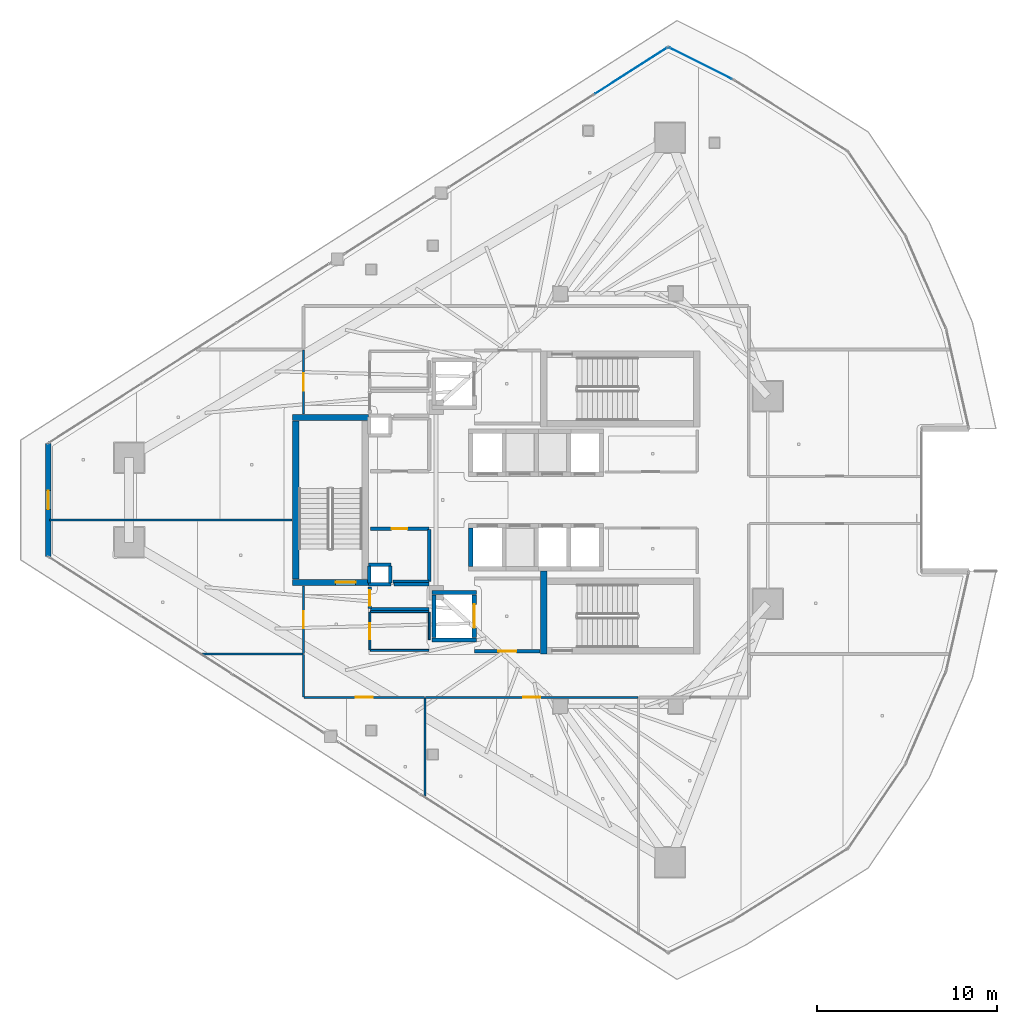
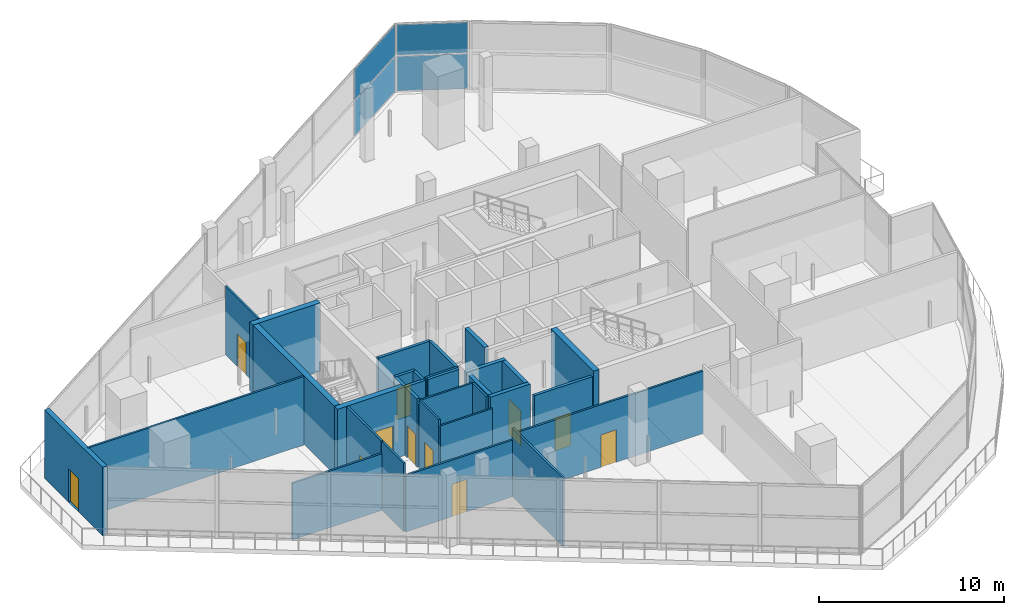
# One storey, part 25 of 36: 33 walls, 11 doors, 4 plates, 11 openings, 2 elements without a shape of their own.
"""IFC4 building model written with IfcOpenShell, lengths in metres."""

from ifc_helpers import new_model, si_unit, direction, frame, frame_2d, origin, origin_2d, place, context, subcontext, project, spatial, rectangle, extrude, material, layer, layer_set, type_object, element, fill, aggregate, save


model = new_model("IFC4")

# Units and contexts
model_context = context("Model", 3, precision=1e-05, world=origin(), true_north=direction((0.0, 1.0)))
body_context = subcontext(model_context, "Body", "Model", "MODEL_VIEW")
ifc_project = project(units=[si_unit("LENGTHUNIT", "METRE"), si_unit("AREAUNIT", "SQUARE_METRE"), si_unit("VOLUMEUNIT", "CUBIC_METRE"), si_unit("PLANEANGLEUNIT", "RADIAN"), si_unit("MASSUNIT", "GRAM", prefix="KILO")], contexts=[model_context])

# Site, building, storey
site_placement = place(None, origin())
site = spatial("IfcSite", under=ifc_project, at=site_placement, CompositionType="ELEMENT")
building_placement = place(site_placement, origin())
building = spatial("IfcBuilding", under=site, at=building_placement, Name="Qorvath Tower", CompositionType="ELEMENT")
storey_placement = place(building_placement, frame((0.0, 0.0, 255.0)))
storey = spatial("IfcBuildingStorey", under=building, at=storey_placement, Name="L59", CompositionType="ELEMENT", Elevation=255.0)

# Curtain wall, plates
ifc_material_1 = material(Name="Anodised aluminium and triple low-E glass", Category="aluminium")
ifc_layer_1 = layer(ifc_material_1, 0.179931640625)
ifc_layer_set_1 = layer_set([ifc_layer_1], Name="CW-SYS-5")
curtain_wall_type = type_object("IfcCurtainWallType", Name="CW-SYS-5", PredefinedType="NOTDEFINED", material=ifc_layer_set_1)
curtain_wall_1_placement = place(storey_placement, origin())
curtain_wall_1 = element("IfcCurtainWall", 1, at=curtain_wall_1_placement, inside=storey, type_object=curtain_wall_type, Name="Curtain Wall CW-5 CW-T-L59-15.1", PredefinedType="NOTDEFINED")
ifc_material_2 = material(Name="Acoustic laminated low-E glass", Category="glass")
ifc_layer_2 = layer(ifc_material_2, 0.0380859375)
ifc_layer_set_2 = layer_set([ifc_layer_2], Name="CWP-GLZ-38")
plate_type = type_object("IfcPlateType", Name="CWP-GLZ-38", PredefinedType="CURTAIN_PANEL", material=ifc_layer_set_2)
plate_1_placement = place(storey_placement, frame((-15.824951171875, 24.240478515625, 0.06494140625), z_axis=(0.0, 0.0, 1.0), x_axis=(-0.894452095696, 0.44716378264, 0.0)))
plate_1 = element("IfcPlate", 2, at=plate_1_placement, type_object=plate_type, Name="CW-5 panel 1.1", PredefinedType="CURTAIN_PANEL", context=body_context, shape_type="SweptSolid", body=[
    extrude(rectangle(XDim=3.864990234375, YDim=0.0380859375, at=origin_2d()), origin(), (0.0, 0.0, 1.0), 2.302490234375),
])
plate_2_placement = place(storey_placement, frame((-15.824951171875, 24.240478515625, 2.432373046875), z_axis=(0.0, 0.0, 1.0), x_axis=(-0.894452095696, 0.44716378264, 0.0)))
plate_2 = element("IfcPlate", 3, at=plate_2_placement, type_object=plate_type, Name="CW-5 panel 1.2", PredefinedType="CURTAIN_PANEL", context=body_context, shape_type="SweptSolid", body=[
    extrude(rectangle(XDim=3.864990234375, YDim=0.0380859375, at=origin_2d()), origin(), (0.0, 0.0, 1.0), 2.0126953125),
])
aggregate(curtain_wall_1, [plate_1, plate_2])

curtain_wall_2_placement = place(storey_placement, origin())
curtain_wall_2 = element("IfcCurtainWall", 4, at=curtain_wall_2_placement, inside=storey, type_object=curtain_wall_type, Name="Curtain Wall CW-5 CW-T-L59-16.1", PredefinedType="NOTDEFINED")
plate_3_placement = place(storey_placement, frame((-19.675537109375, 23.824951171875, 0.06494140625), z_axis=(0.0, 0.0, 1.0), x_axis=(-0.842603200699, -0.538534907106, 0.0)))
plate_3 = element("IfcPlate", 5, at=plate_3_placement, type_object=plate_type, Name="CW-5 panel 1.1", PredefinedType="CURTAIN_PANEL", context=body_context, shape_type="SweptSolid", body=[
    extrude(rectangle(XDim=4.7275390625, YDim=0.0380859375, at=origin_2d()), origin(), (0.0, 0.0, 1.0), 2.302490234375),
])
plate_4_placement = place(storey_placement, frame((-19.675537109375, 23.824951171875, 2.432373046875), z_axis=(0.0, 0.0, 1.0), x_axis=(-0.842603200699, -0.538534907106, 0.0)))
plate_4 = element("IfcPlate", 6, at=plate_4_placement, type_object=plate_type, Name="CW-5 panel 1.2", PredefinedType="CURTAIN_PANEL", context=body_context, shape_type="SweptSolid", body=[
    extrude(rectangle(XDim=4.7275390625, YDim=0.0380859375, at=origin_2d()), origin(), (0.0, 0.0, 1.0), 2.0126953125),
])
aggregate(curtain_wall_2, [plate_3, plate_4])

# Walls
ifc_material_3 = material(Name="Gypsum shaftliner on steel studs", Category="steel")
ifc_layer_3 = layer(ifc_material_3, 0.179931640625)
ifc_layer_set_3 = layer_set([ifc_layer_3], Name="FW-LOBBY")
wall_type_1 = type_object("IfcWallType", Name="FW-LOBBY", PredefinedType="PARTITIONING", material=ifc_layer_set_3)
for number, where, z_axis, x_axis, name in (
    (7, (-32.989990234375, -4.675048828125, 0.0), (0.0, 0.0, 1.0), (-1.0, 0.0, 0.0), "MEP Riser Shaft Enclosure Wall S-L59-S"),
    (8, (-34.260009765625, -3.594970703125, 0.0), (0.0, 0.0, 1.0), (1.0, 0.0, 0.0), "MEP Riser Shaft Enclosure Wall S-L59-N"),
):
    element("IfcWall", number, at=place(storey_placement, frame(where, z_axis=z_axis, x_axis=x_axis)), inside=storey, type_object=wall_type_1, Name=name, PredefinedType="PARTITIONING", context=body_context, shape_type="SweptSolid", body=[
        extrude(rectangle(XDim=1.27001953125, YDim=0.179931640625, at=frame_2d((0.635009765625, 0.0))), origin(), (0.0, 0.0, 1.0), 4.510009765625),
    ])
for number, where, z_axis, x_axis, name in (
    (9, (-34.205078125, -4.610107421875, 0.0), (0.0, 0.0, 1.0), (0.0, 1.0, 0.0), "MEP Riser Shaft Enclosure Wall S-L59-W"),
    (10, (-33.044921875, -3.659912109375, 0.0), (0.0, 0.0, 1.0), (0.0, -1.0, 0.0), "MEP Riser Shaft Enclosure Wall S-L59-E"),
):
    element("IfcWall", number, at=place(storey_placement, frame(where, z_axis=z_axis, x_axis=x_axis)), inside=storey, type_object=wall_type_1, Name=name, PredefinedType="PARTITIONING", context=body_context, shape_type="SweptSolid", body=[
        extrude(rectangle(XDim=0.9501953125, YDim=0.179931640625, at=frame_2d((0.47509765625, 0.0))), origin(), (0.0, 0.0, 1.0), 4.510009765625),
    ])

# Wall, opening, door
wall_1_placement = place(storey_placement, frame((-28.35498046875, -8.39990234375, 0.0), z_axis=(0.0, 0.0, 1.0), x_axis=(1.0, 0.0, 0.0)))
wall_1 = element("IfcWall", 11, at=wall_1_placement, inside=storey, type_object=wall_type_1, Name="Interior Partition IW-T1-L59-003", PredefinedType="PARTITIONING", context=body_context, shape_type="SweptSolid", body=[
    extrude(rectangle(XDim=3.6220703125, YDim=0.179931640625, at=frame_2d((1.81103515625, 0.0))), origin(), (0.0, 0.0, 1.0), 4.12890625),
])
opening_1_placement = place(wall_1_placement, frame((1.31103515625, 0.0, 0.0)))
opening_1 = element("IfcOpeningElement", 12, at=opening_1_placement, cuts=wall_1, Name="Opening D-T1-L59-18", PredefinedType="OPENING", context=body_context, shape_type="SweptSolid", body=[
    extrude(rectangle(XDim=1.0, YDim=2.14990234375, at=frame_2d((0.5, 1.074951171875))), frame((0.0, 0.10009765625, 0.0), z_axis=(0.0, -1.0, 0.0), x_axis=(1.0, 0.0, 0.0)), (0.0, 0.0, 1.0), 0.199951171875),
])
ifc_material_4 = material(Name="Painted galvanised hollow metal", Category="steel")
door_type_1 = type_object("IfcDoorType", Name="FD-60", OperationType="NOTDEFINED", PredefinedType="DOOR", material=ifc_material_4)
door_1_placement = place(opening_1_placement, origin())
door_1 = element("IfcDoor", 13, at=door_1_placement, inside=storey, type_object=door_type_1, Name="Lobby Fire Service Elevator South Door D-T1-L59-18", OperationType="SINGLE_SWING_RIGHT", OverallHeight=2.14990234375, OverallWidth=1.0, PredefinedType="DOOR", context=body_context, shape_type="SweptSolid", body=[
    extrude(rectangle(XDim=1.0, YDim=2.14990234375, at=frame_2d((0.5, 1.074951171875))), frame((0.0, 0.02490234375, 0.0), z_axis=(0.0, -1.0, 0.0), x_axis=(1.0, 0.0, 0.0)), (0.0, 0.0, 1.0), 0.050048828125),
])
fill(opening_1, door_1)

# Walls
wall_2_placement = place(storey_placement, frame((-34.15478515625, -6.06005859375, 0.0), z_axis=(0.0, 0.0, 1.0), x_axis=(1.0, 0.0, 0.0)))
element("IfcWall", 14, at=wall_2_placement, inside=storey, type_object=wall_type_1, Name="Interior Partition IW-T1-L59-023", PredefinedType="PARTITIONING", context=body_context, shape_type="SweptSolid", body=[
    extrude(rectangle(XDim=3.25, YDim=0.179931640625, at=frame_2d((1.625, 0.0))), origin(), (0.0, 0.0, 1.0), 4.12890625),
])
wall_3_placement = place(storey_placement, frame((-30.90478515625, -4.679931640625, 0.0), z_axis=(0.0, 0.0, 1.0), x_axis=(-1.0, 0.0, 0.0)))
element("IfcWall", 15, at=wall_3_placement, inside=storey, type_object=wall_type_1, Name="Interior Partition IW-T1-L59-024", PredefinedType="PARTITIONING", context=body_context, shape_type="SweptSolid", body=[
    extrude(rectangle(XDim=1.92041015625, YDim=0.179931640625, at=frame_2d((0.960205078125, 0.0))), origin(), (0.0, 0.0, 1.0), 4.510009765625),
])

# Wall, opening, door
wall_4_placement = place(storey_placement, frame((-34.179931640625, -4.840087890625, 0.0), z_axis=(0.0, 0.0, 1.0), x_axis=(0.0, -1.0, 0.0)))
wall_4 = element("IfcWall", 16, at=wall_4_placement, inside=storey, type_object=wall_type_1, Name="Interior Partition IW-T1-L59-025", PredefinedType="PARTITIONING", context=body_context, shape_type="SweptSolid", body=[
    extrude(rectangle(XDim=1.195068359375, YDim=0.179931640625, at=frame_2d((0.59765625, 0.0))), origin(), (0.0, 0.0, 1.0), 4.510009765625),
])
opening_2_placement = place(wall_4_placement, frame((0.157470703125, 0.0, 0.0)))
opening_2 = element("IfcOpeningElement", 17, at=opening_2_placement, cuts=wall_4, Name="Opening D-T1-L59-16", PredefinedType="OPENING", context=body_context, shape_type="SweptSolid", body=[
    extrude(rectangle(XDim=0.8798828125, YDim=2.10009765625, at=frame_2d((0.43994140625, 1.050048828125))), frame((0.0, 0.10009765625, 0.0), z_axis=(0.0, -1.0, 0.0), x_axis=(1.0, 0.0, 0.0)), (0.0, 0.0, 1.0), 0.199951171875),
])
ifc_material_5 = material(Name="Painted galvanised hollow metal", Category="steel")
door_type_2 = type_object("IfcDoorType", Name="FD-60N", OperationType="NOTDEFINED", PredefinedType="DOOR", material=ifc_material_5)
door_2_placement = place(opening_2_placement, origin())
door_2 = element("IfcDoor", 18, at=door_2_placement, inside=storey, type_object=door_type_2, Name="Core cleaner supply closet L59 Door D-T1-L59-16", OperationType="SINGLE_SWING_RIGHT", OverallHeight=2.10009765625, OverallWidth=0.8798828125, PredefinedType="DOOR", context=body_context, shape_type="SweptSolid", body=[
    extrude(rectangle(XDim=0.8798828125, YDim=2.10009765625, at=frame_2d((0.43994140625, 1.050048828125))), frame((0.0, 0.02490234375, 0.0), z_axis=(0.0, -1.0, 0.0), x_axis=(1.0, 0.0, 0.0)), (0.0, 0.0, 1.0), 0.050048828125),
])
fill(opening_2, door_2)

# Walls
wall_5_placement = place(storey_placement, frame((-32.8798828125, -4.5400390625, 0.0), z_axis=(0.0, 0.0, 1.0), x_axis=(1.0, 0.0, 0.0)))
element("IfcWall", 19, at=wall_5_placement, inside=storey, type_object=wall_type_1, Name="Interior Partition IW-T1-L59-026", PredefinedType="PARTITIONING", context=body_context, shape_type="SweptSolid", body=[
    extrude(rectangle(XDim=1.97509765625, YDim=0.179931640625, at=frame_2d((0.987548828125, 0.0))), origin(), (0.0, 0.0, 1.0), 4.510009765625),
])
wall_6_placement = place(storey_placement, frame((-30.8798828125, -4.514892578125, 0.0), z_axis=(0.0, 0.0, 1.0), x_axis=(0.0, 1.0, 0.0)))
element("IfcWall", 20, at=wall_6_placement, inside=storey, type_object=wall_type_1, Name="Interior Partition IW-T1-L59-027", PredefinedType="PARTITIONING", context=body_context, shape_type="SweptSolid", body=[
    extrude(rectangle(XDim=2.889892578125, YDim=0.179931640625, at=frame_2d((1.44482421875, 0.0))), origin(), (0.0, 0.0, 1.0), 4.510009765625),
])

# Wall, opening, door
wall_7_placement = place(storey_placement, frame((-30.90478515625, -1.60009765625, 0.0), z_axis=(0.0, 0.0, 1.0), x_axis=(-1.0, 0.0, 0.0)))
wall_7 = element("IfcWall", 21, at=wall_7_placement, inside=storey, type_object=wall_type_1, Name="Interior Partition IW-T1-L59-028", PredefinedType="PARTITIONING", context=body_context, shape_type="SweptSolid", body=[
    extrude(rectangle(XDim=3.25, YDim=0.179931640625, at=frame_2d((1.625, 0.0))), origin(), (0.0, 0.0, 1.0), 4.510009765625),
])
opening_3_placement = place(wall_7_placement, frame((1.18505859375, 0.0, 0.0)))
opening_3 = element("IfcOpeningElement", 22, at=opening_3_placement, cuts=wall_7, Name="Opening D-T1-L59-06", PredefinedType="OPENING", context=body_context, shape_type="SweptSolid", body=[
    extrude(rectangle(XDim=0.8798828125, YDim=2.10009765625, at=frame_2d((0.43994140625, 1.050048828125))), frame((0.0, 0.10009765625, 0.0), z_axis=(0.0, -1.0, 0.0), x_axis=(1.0, 0.0, 0.0)), (0.0, 0.0, 1.0), 0.199951171875),
])
door_3_placement = place(opening_3_placement, origin())
door_3 = element("IfcDoor", 23, at=door_3_placement, inside=storey, type_object=door_type_2, Name="Core housekeeping store L59 Door D-T1-L59-06", OperationType="SINGLE_SWING_RIGHT", OverallHeight=2.10009765625, OverallWidth=0.8798828125, PredefinedType="DOOR", context=body_context, shape_type="SweptSolid", body=[
    extrude(rectangle(XDim=0.8798828125, YDim=2.10009765625, at=frame_2d((0.43994140625, 1.050048828125))), frame((0.0, 0.02490234375, 0.0), z_axis=(0.0, -1.0, 0.0), x_axis=(1.0, 0.0, 0.0)), (0.0, 0.0, 1.0), 0.050048828125),
])
fill(opening_3, door_3)

# Wall
ifc_material_6 = material(Name="Gypsum board on metal studs with mineral wool", Category="gypsum")
ifc_layer_4 = layer(ifc_material_6, 0.125)
ifc_layer_set_4 = layer_set([ifc_layer_4], Name="IW-PART-125")
wall_type_2 = type_object("IfcWallType", Name="IW-PART-125", PredefinedType="PARTITIONING", material=ifc_layer_set_4)
wall_8_placement = place(storey_placement, frame((-31.1162109375, -16.432861328125, 0.0), z_axis=(0.0, 0.0, 1.0), x_axis=(0.0, 1.0, 0.0)))
element("IfcWall", 24, at=wall_8_placement, inside=storey, type_object=wall_type_2, Name="Interior Partition IW-T1-L59-034", PredefinedType="PARTITIONING", context=body_context, shape_type="SweptSolid", body=[
    extrude(rectangle(XDim=5.449951171875, YDim=0.125, at=frame_2d((2.72509765625, 0.0))), origin(), (0.0, 0.0, 1.0), 4.510009765625),
])

# Wall, opening, door
wall_9_placement = place(storey_placement, frame((-31.14111328125, -10.9580078125, 0.0), z_axis=(0.0, 0.0, 1.0), x_axis=(-1.0, 0.0, 0.0)))
wall_9 = element("IfcWall", 25, at=wall_9_placement, inside=storey, type_object=wall_type_2, Name="Interior Partition IW-T1-L59-035", PredefinedType="PARTITIONING", context=body_context, shape_type="SweptSolid", body=[
    extrude(rectangle(XDim=6.69189453125, YDim=0.125, at=frame_2d((3.345947265625, 0.0))), origin(), (0.0, 0.0, 1.0), 3.72998046875),
])
opening_4_placement = place(wall_9_placement, frame((2.870849609375, 0.0, 0.0)))
opening_4 = element("IfcOpeningElement", 26, at=opening_4_placement, cuts=wall_9, Name="Opening D-T1-L59-08", PredefinedType="OPENING", context=body_context, shape_type="SweptSolid", body=[
    extrude(rectangle(XDim=0.949951171875, YDim=2.14990234375, at=frame_2d((0.47509765625, 1.074951171875))), frame((0.0, 0.072509765625, 0.0), z_axis=(0.0, -1.0, 0.0), x_axis=(1.0, 0.0, 0.0)), (0.0, 0.0, 1.0), 0.14501953125),
])
ifc_material_7 = material(Name="Solid-core American white oak veneer", Category="wood")
door_type_3 = type_object("IfcDoorType", Name="D-01", OperationType="NOTDEFINED", PredefinedType="DOOR", material=ifc_material_7)
door_4_placement = place(opening_4_placement, origin())
door_4 = element("IfcDoor", 27, at=door_4_placement, inside=storey, type_object=door_type_3, Name="L59-02 Sky Focus Collaboration Pod Door D-T1-L59-08", OperationType="SINGLE_SWING_RIGHT", OverallHeight=2.14990234375, OverallWidth=0.949951171875, PredefinedType="DOOR", context=body_context, shape_type="SweptSolid", body=[
    extrude(rectangle(XDim=0.949951171875, YDim=2.14990234375, at=frame_2d((0.47509765625, 1.074951171875))), frame((0.0, 0.02490234375, 0.0), z_axis=(0.0, -1.0, 0.0), x_axis=(1.0, 0.0, 0.0)), (0.0, 0.0, 1.0), 0.050048828125),
])
fill(opening_4, door_4)

# Walls
wall_10_placement = place(storey_placement, frame((-37.85791015625, -8.574951171875, 0.0), z_axis=(0.0, 0.0, 1.0), x_axis=(0.0, -1.0, 0.0)))
element("IfcWall", 28, at=wall_10_placement, inside=storey, type_object=wall_type_2, Name="Interior Partition IW-T1-L59-036", PredefinedType="PARTITIONING", context=body_context, shape_type="SweptSolid", body=[
    extrude(rectangle(XDim=2.358154296875, YDim=0.125, at=frame_2d((1.17919921875, 0.0))), origin(), (0.0, 0.0, 1.0), 4.510009765625),
])
wall_11_placement = place(storey_placement, frame((-37.8828125, -8.550048828125, 0.0), z_axis=(0.0, 0.0, 1.0), x_axis=(-1.0, 0.0, 0.0)))
element("IfcWall", 29, at=wall_11_placement, inside=storey, type_object=wall_type_2, Name="Interior Partition IW-T1-L59-037", PredefinedType="PARTITIONING", context=body_context, shape_type="SweptSolid", body=[
    extrude(rectangle(XDim=5.6123046875, YDim=0.125, at=frame_2d((2.80615234375, 0.0))), origin(), (0.0, 0.0, 1.0), 3.72998046875),
])

# Wall, opening, door
wall_12_placement = place(storey_placement, frame((-19.28564453125, -10.9580078125, 0.0), z_axis=(0.0, 0.0, 1.0), x_axis=(-1.0, 0.0, 0.0)))
wall_12 = element("IfcWall", 30, at=wall_12_placement, inside=storey, type_object=wall_type_2, Name="Interior Partition IW-T1-L59-038", PredefinedType="PARTITIONING", context=body_context, shape_type="SweptSolid", body=[
    extrude(rectangle(XDim=11.797607421875, YDim=0.125, at=frame_2d((5.89892578125, 0.0))), origin(), (0.0, 0.0, 1.0), 4.12890625),
])
opening_5_placement = place(wall_12_placement, frame((5.423828125, 0.0, 0.0)))
opening_5 = element("IfcOpeningElement", 31, at=opening_5_placement, cuts=wall_12, Name="Opening D-T1-L59-09", PredefinedType="OPENING", context=body_context, shape_type="SweptSolid", body=[
    extrude(rectangle(XDim=0.949951171875, YDim=2.14990234375, at=frame_2d((0.47509765625, 1.074951171875))), frame((0.0, 0.072509765625, 0.0), z_axis=(0.0, -1.0, 0.0), x_axis=(1.0, 0.0, 0.0)), (0.0, 0.0, 1.0), 0.14501953125),
])
door_5_placement = place(opening_5_placement, origin())
door_5 = element("IfcDoor", 32, at=door_5_placement, inside=storey, type_object=door_type_3, Name="L59-03 Sky Staff Refreshment Pantry and Coffee Bar Door D-T1-L59-09", OperationType="SINGLE_SWING_LEFT", OverallHeight=2.14990234375, OverallWidth=0.949951171875, PredefinedType="DOOR", context=body_context, shape_type="SweptSolid", body=[
    extrude(rectangle(XDim=0.949951171875, YDim=2.14990234375, at=frame_2d((0.47509765625, 1.074951171875))), frame((0.0, 0.02490234375, 0.0), z_axis=(0.0, -1.0, 0.0), x_axis=(1.0, 0.0, 0.0)), (0.0, 0.0, 1.0), 0.050048828125),
])
fill(opening_5, door_5)

wall_13_placement = place(storey_placement, frame((-37.85791015625, -8.51708984375, 0.0), z_axis=(0.0, 0.0, 1.0), x_axis=(0.0, 1.0, 0.0)))
wall_13 = element("IfcWall", 33, at=wall_13_placement, inside=storey, type_object=wall_type_2, Name="Interior Partition IW-T1-L59-047", PredefinedType="PARTITIONING", context=body_context, shape_type="SweptSolid", body=[
    extrude(rectangle(XDim=3.73388671875, YDim=0.125, at=frame_2d((1.866943359375, 0.0))), origin(), (0.0, 0.0, 1.0), 4.510009765625),
])
opening_6_placement = place(wall_13_placement, frame((1.391845703125, 0.0, 0.0)))
opening_6 = element("IfcOpeningElement", 34, at=opening_6_placement, cuts=wall_13, Name="Opening D-T1-L59-13", PredefinedType="OPENING", context=body_context, shape_type="SweptSolid", body=[
    extrude(rectangle(XDim=0.949951171875, YDim=2.14990234375, at=frame_2d((0.47509765625, 1.074951171875))), frame((0.0, 0.072509765625, 0.0), z_axis=(0.0, -1.0, 0.0), x_axis=(1.0, 0.0, 0.0)), (0.0, 0.0, 1.0), 0.14501953125),
])
door_6_placement = place(opening_6_placement, origin())
door_6 = element("IfcDoor", 35, at=door_6_placement, inside=storey, type_object=door_type_3, Name="L59-07 Sky Design Pin-Up Atelier Door D-T1-L59-13", OperationType="SINGLE_SWING_LEFT", OverallHeight=2.14990234375, OverallWidth=0.949951171875, PredefinedType="DOOR", context=body_context, shape_type="SweptSolid", body=[
    extrude(rectangle(XDim=0.949951171875, YDim=2.14990234375, at=frame_2d((0.47509765625, 1.074951171875))), frame((0.0, 0.02490234375, 0.0), z_axis=(0.0, -1.0, 0.0), x_axis=(1.0, 0.0, 0.0)), (0.0, 0.0, 1.0), 0.050048828125),
])
fill(opening_6, door_6)

# Wall
wall_14_placement = place(storey_placement, frame((-38.492919921875, -1.11279296875, 0.0), z_axis=(0.0, 0.0, 1.0), x_axis=(-1.0, 0.0, 0.0)))
element("IfcWall", 36, at=wall_14_placement, inside=storey, type_object=wall_type_2, Name="Interior Partition IW-T1-L59-048", PredefinedType="PARTITIONING", context=body_context, shape_type="SweptSolid", body=[
    extrude(rectangle(XDim=13.463134765625, YDim=0.125, at=frame_2d((6.7314453125, 0.0))), origin(), (0.0, 0.0, 1.0), 4.510009765625),
])

# Wall, opening, door
wall_15_placement = place(storey_placement, frame((-37.85791015625, 4.783203125, 0.0), z_axis=(0.0, 0.0, 1.0), x_axis=(0.0, 1.0, 0.0)))
wall_15 = element("IfcWall", 37, at=wall_15_placement, inside=storey, type_object=wall_type_2, Name="Interior Partition IW-T1-L59-049", PredefinedType="PARTITIONING", context=body_context, shape_type="SweptSolid", body=[
    extrude(rectangle(XDim=3.53369140625, YDim=0.125, at=frame_2d((1.766845703125, 0.0))), origin(), (0.0, 0.0, 1.0), 4.510009765625),
])
opening_7_placement = place(wall_15_placement, frame((1.291748046875, 0.0, 0.0)))
opening_7 = element("IfcOpeningElement", 38, at=opening_7_placement, cuts=wall_15, Name="Opening D-T1-L59-14", PredefinedType="OPENING", context=body_context, shape_type="SweptSolid", body=[
    extrude(rectangle(XDim=0.949951171875, YDim=2.14990234375, at=frame_2d((0.47509765625, 1.074951171875))), frame((0.0, 0.072509765625, 0.0), z_axis=(0.0, -1.0, 0.0), x_axis=(1.0, 0.0, 0.0)), (0.0, 0.0, 1.0), 0.14501953125),
])
door_7_placement = place(opening_7_placement, origin())
door_7 = element("IfcDoor", 39, at=door_7_placement, inside=storey, type_object=door_type_3, Name="L59-08 Sky Executive Partner Office Door D-T1-L59-14", OperationType="SINGLE_SWING_RIGHT", OverallHeight=2.14990234375, OverallWidth=0.949951171875, PredefinedType="DOOR", context=body_context, shape_type="SweptSolid", body=[
    extrude(rectangle(XDim=0.949951171875, YDim=2.14990234375, at=frame_2d((0.47509765625, 1.074951171875))), frame((0.0, 0.02490234375, 0.0), z_axis=(0.0, -1.0, 0.0), x_axis=(1.0, 0.0, 0.0)), (0.0, 0.0, 1.0), 0.050048828125),
])
fill(opening_7, door_7)

ifc_material_8 = material(Name="Moisture-resistant cement board on metal studs", Category="gypsum")
ifc_layer_5 = layer(ifc_material_8, 0.110107421875)
ifc_layer_set_5 = layer_set([ifc_layer_5], Name="IW-WC-110")
wall_type_3 = type_object("IfcWallType", Name="IW-WC-110", PredefinedType="PARTITIONING", material=ifc_layer_set_5)
wall_16_placement = place(storey_placement, frame((-34.179931640625, -6.22509765625, 0.0), z_axis=(0.0, 0.0, 1.0), x_axis=(0.0, -1.0, 0.0)))
wall_16 = element("IfcWall", 40, at=wall_16_placement, inside=storey, type_object=wall_type_3, Name="Interior Partition IW-T1-L59-009", PredefinedType="PARTITIONING", context=body_context, shape_type="SweptSolid", body=[
    extrude(rectangle(XDim=2.10009765625, YDim=0.110107421875, at=frame_2d((1.050048828125, 0.0))), origin(), (0.0, 0.0, 1.0), 4.510009765625),
])
opening_8_placement = place(wall_16_placement, frame((0.610107421875, 0.0, 0.0)))
opening_8 = element("IfcOpeningElement", 41, at=opening_8_placement, cuts=wall_16, Name="Opening D-T1-L59-02", PredefinedType="OPENING", context=body_context, shape_type="SweptSolid", body=[
    extrude(rectangle(XDim=0.8798828125, YDim=2.10009765625, at=frame_2d((0.43994140625, 1.050048828125))), frame((0.0, 0.06494140625, 0.0), z_axis=(0.0, -1.0, 0.0), x_axis=(1.0, 0.0, 0.0)), (0.0, 0.0, 1.0), 0.130126953125),
])
ifc_material_9 = material(Name="Solid-core oak with acoustic drop seal", Category="wood")
door_type_4 = type_object("IfcDoorType", Name="D-02", OperationType="NOTDEFINED", PredefinedType="DOOR", material=ifc_material_9)
door_8_placement = place(opening_8_placement, origin())
door_8 = element("IfcDoor", 42, at=door_8_placement, inside=storey, type_object=door_type_4, Name="Accessible WC South L59 Door D-T1-L59-02", OperationType="SINGLE_SWING_RIGHT", OverallHeight=2.10009765625, OverallWidth=0.8798828125, PredefinedType="DOOR", context=body_context, shape_type="SweptSolid", body=[
    extrude(rectangle(XDim=0.8798828125, YDim=2.10009765625, at=frame_2d((0.43994140625, 1.050048828125))), frame((0.0, 0.02490234375, 0.0), z_axis=(0.0, -1.0, 0.0), x_axis=(1.0, 0.0, 0.0)), (0.0, 0.0, 1.0), 0.050048828125),
])
fill(opening_8, door_8)

# Walls
wall_17_placement = place(storey_placement, frame((-34.15478515625, -8.35009765625, 0.0), z_axis=(0.0, 0.0, 1.0), x_axis=(1.0, 0.0, 0.0)))
element("IfcWall", 43, at=wall_17_placement, inside=storey, type_object=wall_type_3, Name="Interior Partition IW-T1-L59-010", PredefinedType="PARTITIONING", context=body_context, shape_type="SweptSolid", body=[
    extrude(rectangle(XDim=3.25, YDim=0.110107421875, at=frame_2d((1.625, 0.0))), origin(), (0.0, 0.0, 1.0), 4.12890625),
])
wall_18_placement = place(storey_placement, frame((-30.8798828125, -7.742919921875, 0.0), z_axis=(0.0, 0.0, 1.0), x_axis=(0.0, 1.0, 0.0)))
element("IfcWall", 44, at=wall_18_placement, inside=storey, type_object=wall_type_3, Name="Interior Partition IW-T1-L59-011", PredefinedType="PARTITIONING", context=body_context, shape_type="SweptSolid", body=[
    extrude(rectangle(XDim=1.517822265625, YDim=0.110107421875, at=frame_2d((0.7587890625, 0.0))), origin(), (0.0, 0.0, 1.0), 4.510009765625),
])
wall_19_placement = place(storey_placement, frame((-30.90478515625, -6.199951171875, 0.0), z_axis=(0.0, 0.0, 1.0), x_axis=(-1.0, 0.0, 0.0)))
element("IfcWall", 45, at=wall_19_placement, inside=storey, type_object=wall_type_3, Name="Interior Partition IW-T1-L59-012", PredefinedType="PARTITIONING", context=body_context, shape_type="SweptSolid", body=[
    extrude(rectangle(XDim=3.25, YDim=0.110107421875, at=frame_2d((1.625, 0.0))), origin(), (0.0, 0.0, 1.0), 4.510009765625),
])
ifc_material_10 = material(Name="Concrete C60/75", Category="concrete")
ifc_layer_6 = layer(ifc_material_10, 0.260009765625)
ifc_layer_set_6 = layer_set([ifc_layer_6], Name="SW-SHAFT")
wall_type_4 = type_object("IfcWallType", Name="SW-SHAFT", PredefinedType="SHEAR", material=ifc_layer_set_6)
for number, where, z_axis, x_axis, name in (
    (46, (-28.260009765625, -7.77001953125, 0.0), (0.0, 0.0, 1.0), (-1.0, 0.0, 0.0), "Hoistway Wall FSAE-2 L59 S"),
    (47, (-30.739990234375, -5.1298828125, 0.0), (0.0, 0.0, 1.0), (1.0, 0.0, 0.0), "Hoistway Wall FSAE-2 L59 N"),
):
    element("IfcWall", number, at=place(storey_placement, frame(where, z_axis=z_axis, x_axis=x_axis)), inside=storey, type_object=wall_type_4, Name=name, PredefinedType="SHEAR", context=body_context, shape_type="SweptSolid", body=[
        extrude(rectangle(XDim=2.47998046875, YDim=0.239990234375, at=frame_2d((1.239990234375, 0.0))), origin(), (0.0, 0.0, 1.0), 4.510009765625),
    ])
wall_20_placement = place(storey_placement, frame((-30.6201171875, -7.637939453125, 0.0), z_axis=(0.0, 0.0, 1.0), x_axis=(0.0, 1.0, 0.0)))
element("IfcWall", 48, at=wall_20_placement, inside=storey, type_object=wall_type_4, Name="Hoistway Wall FSAE-2 L59 W", PredefinedType="SHEAR", context=body_context, shape_type="SweptSolid", body=[
    extrude(rectangle(XDim=2.3759765625, YDim=0.239990234375, at=frame_2d((1.18798828125, 0.0))), origin(), (0.0, 0.0, 1.0), 4.510009765625),
])

# Wall, opening, door
wall_21_placement = place(storey_placement, frame((-28.3798828125, -5.261962890625, 0.0), z_axis=(0.0, 0.0, 1.0), x_axis=(0.0, -1.0, 0.0)))
wall_21 = element("IfcWall", 49, at=wall_21_placement, inside=storey, type_object=wall_type_4, Name="Hoistway Wall FSAE-2 L59 E", PredefinedType="SHEAR", context=body_context, shape_type="SweptSolid", body=[
    extrude(rectangle(XDim=2.3759765625, YDim=0.239990234375, at=frame_2d((1.18798828125, 0.0))), origin(), (0.0, 0.0, 1.0), 4.510009765625),
])
opening_9_placement = place(wall_21_placement, frame((0.5380859375, 0.0, 0.0)))
opening_9 = element("IfcOpeningElement", 50, at=opening_9_placement, cuts=wall_21, Name="Opening LD-FSAE-2-L59", PredefinedType="OPENING", context=body_context, shape_type="SweptSolid", body=[
    extrude(rectangle(XDim=1.300048828125, YDim=2.300048828125, at=frame_2d((0.64990234375, 1.14990234375))), frame((0.0, 0.1298828125, 0.0), z_axis=(0.0, -1.0, 0.0), x_axis=(1.0, 0.0, 0.0)), (0.0, 0.0, 1.0), 0.260009765625),
])
ifc_material_11 = material(Name="Brushed stainless steel AISI 316", Category="steel")
door_type_5 = type_object("IfcDoorType", Name="LD-02", OperationType="NOTDEFINED", PredefinedType="DOOR", material=ifc_material_11)
door_9_placement = place(opening_9_placement, origin())
door_9 = element("IfcDoor", 51, at=door_9_placement, inside=storey, type_object=door_type_5, Name="Elevator Landing Sliding Door LD-FSAE-2-L59", OperationType="DOUBLE_DOOR_SLIDING", OverallHeight=2.300048828125, OverallWidth=1.300048828125, PredefinedType="DOOR", context=body_context, shape_type="SweptSolid", body=[
    extrude(rectangle(XDim=1.300048828125, YDim=2.300048828125, at=frame_2d((0.64990234375, 1.14990234375))), frame((0.0, 0.02490234375, 0.0), z_axis=(0.0, -1.0, 0.0), x_axis=(1.0, 0.0, 0.0)), (0.0, 0.0, 1.0), 0.050048828125),
])
fill(opening_9, door_9)

# Walls
wall_22_placement = place(storey_placement, frame((-28.570068359375, -3.68798828125, 0.0), z_axis=(0.0, 0.0, 1.0), x_axis=(0.0, 1.0, 0.0)))
element("IfcWall", 52, at=wall_22_placement, inside=storey, type_object=wall_type_4, Name="Hoistway Wall PS-2 L59 W", PredefinedType="SHEAR", context=body_context, shape_type="SweptSolid", body=[
    extrude(rectangle(XDim=2.1259765625, YDim=0.239990234375, at=frame_2d((1.06298828125, 0.0))), origin(), (0.0, 0.0, 1.0), 4.510009765625),
])
ifc_material_12 = material(Name="Concrete C60/75", Category="concrete")
ifc_layer_7 = layer(ifc_material_12, 0.35009765625)
ifc_layer_set_7 = layer_set([ifc_layer_7], Name="SW-STAIR")
wall_type_5 = type_object("IfcWallType", Name="SW-STAIR", PredefinedType="SHEAR", material=ifc_layer_set_7)
wall_23_placement = place(storey_placement, frame((-24.52490234375, -3.93994140625, 0.0), z_axis=(0.0, 0.0, 1.0), x_axis=(0.0, -1.0, 0.0)))
element("IfcWall", 53, at=wall_23_placement, inside=storey, type_object=wall_type_5, Name="Stair TS2 Shear Wall L59 NEAR", PredefinedType="SHEAR", context=body_context, shape_type="SweptSolid", body=[
    extrude(rectangle(XDim=4.610107421875, YDim=0.35009765625, at=frame_2d((2.30517578125, 0.0))), origin(), (0.0, 0.0, 1.0), 4.510009765625),
])

# Wall, opening, door
wall_24_placement = place(storey_placement, frame((-38.4599609375, -4.574951171875, 0.0), z_axis=(0.0, 0.0, 1.0), x_axis=(1.0, 0.0, 0.0)))
wall_24 = element("IfcWall", 54, at=wall_24_placement, inside=storey, type_object=wall_type_5, Name="Stair TS3 Shear Wall L59 NEAR", PredefinedType="SHEAR", context=body_context, shape_type="SweptSolid", body=[
    extrude(rectangle(XDim=4.2099609375, YDim=0.35009765625, at=frame_2d((2.10498046875, 0.0))), origin(), (0.0, 0.0, 1.0), 4.510009765625),
])
opening_10_placement = place(wall_24_placement, frame((2.389892578125, 0.0, 0.0)))
opening_10 = element("IfcOpeningElement", 55, at=opening_10_placement, cuts=wall_24, Name="Opening D-TS3-L59", PredefinedType="OPENING", context=body_context, shape_type="SweptSolid", body=[
    extrude(rectangle(XDim=1.10009765625, YDim=2.199951171875, at=frame_2d((0.550048828125, 1.10009765625))), frame((0.0, 0.18505859375, 0.0), z_axis=(0.0, -1.0, 0.0), x_axis=(1.0, 0.0, 0.0)), (0.0, 0.0, 1.0), 0.3701171875),
])
ifc_material_13 = material(Name="Painted galvanised hollow metal", Category="steel")
door_type_6 = type_object("IfcDoorType", Name="FD-90", OperationType="NOTDEFINED", PredefinedType="DOOR", material=ifc_material_13)
door_10_placement = place(opening_10_placement, origin())
door_10 = element("IfcDoor", 56, at=door_10_placement, inside=storey, type_object=door_type_6, Name="Stair TS3 Fire Door L59", OperationType="SINGLE_SWING_RIGHT", OverallHeight=2.199951171875, OverallWidth=1.10009765625, PredefinedType="DOOR", context=body_context, shape_type="SweptSolid", body=[
    extrude(rectangle(XDim=1.10009765625, YDim=2.199951171875, at=frame_2d((0.550048828125, 1.10009765625))), frame((0.0, 0.02490234375, 0.0), z_axis=(0.0, -1.0, 0.0), x_axis=(1.0, 0.0, 0.0)), (0.0, 0.0, 1.0), 0.050048828125),
])
fill(opening_10, door_10)

# Walls
wall_25_placement = place(storey_placement, frame((-34.25, 4.574951171875, 0.0), z_axis=(0.0, 0.0, 1.0), x_axis=(-1.0, 0.0, 0.0)))
element("IfcWall", 57, at=wall_25_placement, inside=storey, type_object=wall_type_5, Name="Stair TS3 Shear Wall L59 FAR", PredefinedType="SHEAR", context=body_context, shape_type="SweptSolid", body=[
    extrude(rectangle(XDim=4.2099609375, YDim=0.35009765625, at=frame_2d((2.10498046875, 0.0))), origin(), (0.0, 0.0, 1.0), 4.510009765625),
])
wall_26_placement = place(storey_placement, frame((-38.284912109375, 4.385009765625, 0.0), z_axis=(0.0, 0.0, 1.0), x_axis=(0.0, -1.0, 0.0)))
element("IfcWall", 58, at=wall_26_placement, inside=storey, type_object=wall_type_5, Name="Stair TS3 Shear Wall L59 RIGHT", PredefinedType="SHEAR", context=body_context, shape_type="SweptSolid", body=[
    extrude(rectangle(XDim=8.77001953125, YDim=0.35009765625, at=frame_2d((4.385009765625, 0.0))), origin(), (0.0, 0.0, 1.0), 4.510009765625),
])

# Wall, opening, door
ifc_material_14 = material(Name="Precast concrete C45/55", Category="concrete")
ifc_layer_8 = layer(ifc_material_14, 0.300048828125)
ifc_layer_set_8 = layer_set([ifc_layer_8], Name="WL-EW-LOG-300")
wall_type_6 = type_object("IfcWallType", Name="WL-EW-LOG-300", PredefinedType="SOLIDWALL", material=ifc_layer_set_8)
wall_27_placement = place(storey_placement, frame((-52.0361328125, -3.142333984375, 0.0), z_axis=(0.0, 0.0, 1.0), x_axis=(0.0, 1.0, 0.0)))
wall_27 = element("IfcWall", 59, at=wall_27_placement, inside=storey, type_object=wall_type_6, Name="Tower Precast Loggia Wall L59-1.1", PredefinedType="SOLIDWALL", context=body_context, shape_type="SweptSolid", body=[
    extrude(rectangle(XDim=6.28466796875, YDim=0.300048828125, at=frame_2d((3.142333984375, 0.0))), origin(), (0.0, 0.0, 1.0), 4.510009765625),
])
opening_11_placement = place(wall_27_placement, frame((2.6171875, 0.0, 0.0)))
opening_11 = element("IfcOpeningElement", 60, at=opening_11_placement, cuts=wall_27, Name="Opening ED-L59-01", PredefinedType="OPENING", context=body_context, shape_type="SweptSolid", body=[
    extrude(rectangle(XDim=1.050048828125, YDim=2.199951171875, at=frame_2d((0.52490234375, 1.10009765625))), frame((0.0, 0.16015625, 0.0), z_axis=(0.0, -1.0, 0.0), x_axis=(1.0, 0.0, 0.0)), (0.0, 0.0, 1.0), 0.320068359375),
])
ifc_material_15 = material(Name="Thermally broken aluminium glazed door", Category="aluminium")
door_type_7 = type_object("IfcDoorType", Name="ED-LOG", OperationType="NOTDEFINED", PredefinedType="DOOR", material=ifc_material_15)
door_11_placement = place(opening_11_placement, origin())
door_11 = element("IfcDoor", 61, at=door_11_placement, inside=storey, type_object=door_type_7, Name="L59 Recessed Loggia Access Door 1", OperationType="SINGLE_SWING_LEFT", OverallHeight=2.199951171875, OverallWidth=1.050048828125, PredefinedType="DOOR", context=body_context, shape_type="SweptSolid", body=[
    extrude(rectangle(XDim=1.050048828125, YDim=2.199951171875, at=frame_2d((0.52490234375, 1.10009765625))), frame((0.0, 0.02490234375, 0.0), z_axis=(0.0, -1.0, 0.0), x_axis=(1.0, 0.0, 0.0)), (0.0, 0.0, 1.0), 0.050048828125),
])
fill(opening_11, door_11)

save(model, "model.ifc")
